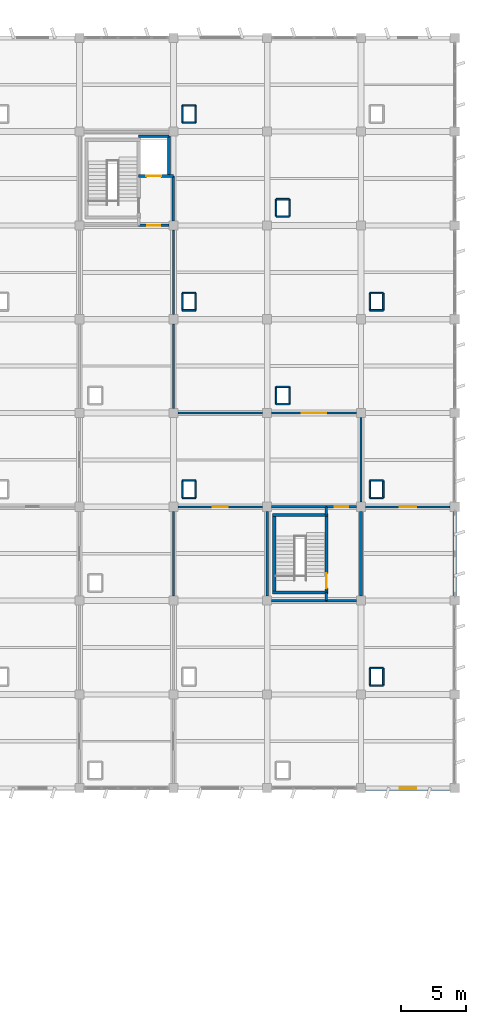
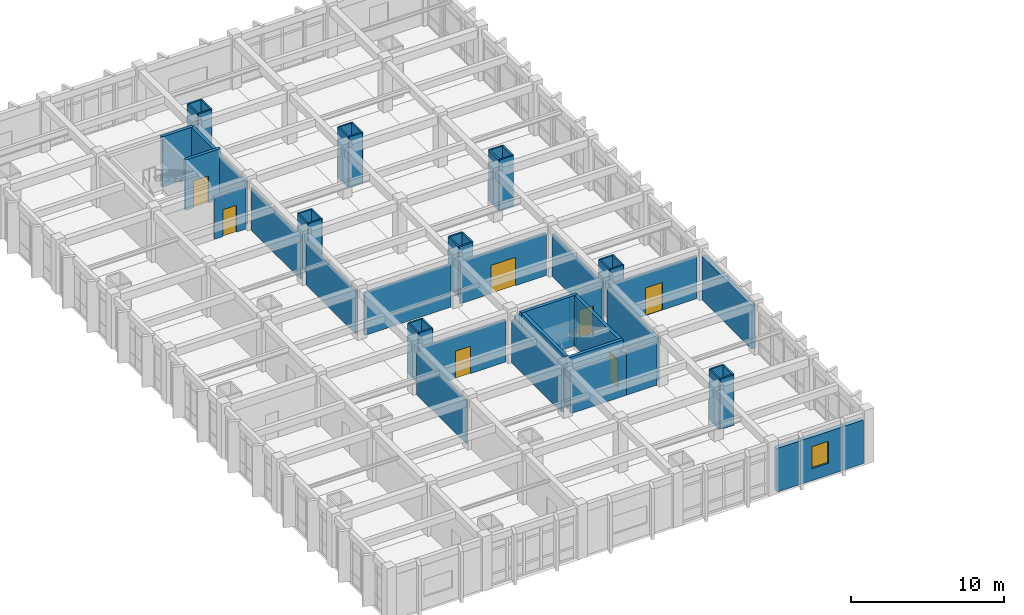
# One storey, part 61 of 70: 59 walls, 7 doors, 1 window, 8 openings.
"""IFC4 building model written with IfcOpenShell, lengths in metres."""

import ifcopenshell
import ifcopenshell.guid

model = None  # the IFC model being written
_history = None  # IfcOwnerHistory: only IFC2X3 demands one
_inside = {}  # id of a spatial element -> (the spatial element, [elements in it])
_under = {}  # id of a project, library or spatial element -> (it, [spatial elements below it])
_declared = {}  # id of a project -> (the project, [libraries it declares])
_typed = {}  # id of a type object -> (the type object, [elements of that type])
_made_of = {}  # id of a material, layer set ... -> (it, [elements and type objects made of it])


def new_model(schema):
    """Start an empty IFC model of exactly this schema.

    Asked for "IFC4X3", IfcOpenShell would pick the latest addendum, in which some entities
    have other attributes; the version numbers below select the first issue.
    IFC2X3 requires an IfcOwnerHistory on every rooted entity: one is made here for all.
    """
    global model, _history
    if schema == "IFC4X3":
        model = ifcopenshell.file(schema_version=(4, 3, 0, 0))
    else:
        model = ifcopenshell.file(schema=schema)
    _inside.clear()
    _under.clear()
    _declared.clear()
    _typed.clear()
    _made_of.clear()
    _history = None
    if model.schema == "IFC2X3":
        org = make("IfcOrganization", Name="unknown")
        user = make(
            "IfcPersonAndOrganization",
            ThePerson=make("IfcPerson", FamilyName="unknown"),
            TheOrganization=org,
        )
        app = make(
            "IfcApplication",
            ApplicationDeveloper=org,
            Version="unknown",
            ApplicationFullName="unknown",
            ApplicationIdentifier="unknown",
        )
        _history = make(
            "IfcOwnerHistory",
            OwningUser=user,
            OwningApplication=app,
            ChangeAction="ADDED",
            CreationDate=0,
        )
    return model


def make(cls, **values):
    """One entity of the class cls with the attributes given. An attribute that is None is left unset."""
    return model.create_entity(
        cls, **{name: value for name, value in values.items() if value is not None}
    )


def rooted(cls, **values):
    """An entity with a GlobalId (a new one), such as an element, a storey or a relation."""
    return make(cls, GlobalId=ifcopenshell.guid.new(), OwnerHistory=_history, **values)


def si_unit(unit_type, name, prefix=None):
    """IfcSIUnit, for example si_unit("LENGTHUNIT", "METRE", prefix="MILLI")."""
    return make("IfcSIUnit", UnitType=unit_type, Prefix=prefix, Name=name)


def assignment(units):
    """IfcUnitAssignment: the units of a project."""
    return None if units is None else make("IfcUnitAssignment", Units=units)


def point(xyz):
    """IfcCartesianPoint."""
    return None if xyz is None else make("IfcCartesianPoint", Coordinates=xyz)


def direction(xyz):
    """IfcDirection."""
    return None if xyz is None else make("IfcDirection", DirectionRatios=xyz)


def frame(location, z_axis=None, x_axis=None):
    """IfcAxis2Placement3D, a coordinate frame: its origin and axes. An axis left out is left unset."""
    return make(
        "IfcAxis2Placement3D",
        Location=point(location),
        Axis=direction(z_axis),
        RefDirection=direction(x_axis),
    )


def frame_2d(location, x_axis=None):
    """IfcAxis2Placement2D, a coordinate frame in the plane: its origin and x axis."""
    return make(
        "IfcAxis2Placement2D", Location=point(location), RefDirection=direction(x_axis)
    )


def origin():
    """The frame at (0, 0, 0) with its axes left unset."""
    return frame((0.0, 0.0, 0.0))


def place(relative_to, where):
    """IfcLocalPlacement: puts the frame where relative to a parent placement (None: the world)."""
    return make(
        "IfcLocalPlacement", PlacementRelTo=relative_to, RelativePlacement=where
    )


def context(
    kind, dimensions, precision=None, world=None, true_north=None, identifier=None
):
    """IfcGeometricRepresentationContext, for example the 3D "Model" context."""
    return make(
        "IfcGeometricRepresentationContext",
        ContextIdentifier=identifier,
        ContextType=kind,
        CoordinateSpaceDimension=dimensions,
        Precision=precision,
        WorldCoordinateSystem=world,
        TrueNorth=true_north,
    )


def subcontext(parent, identifier, kind, view, scale=None):
    """IfcGeometricRepresentationSubContext, for example "Body" below "Model"."""
    return make(
        "IfcGeometricRepresentationSubContext",
        ContextIdentifier=identifier,
        ContextType=kind,
        ParentContext=parent,
        TargetScale=scale,
        TargetView=view,
    )


def project(units=None, contexts=None):
    """IfcProject with its units and contexts."""
    return rooted(
        "IfcProject",
        Name="project",
        RepresentationContexts=contexts,
        UnitsInContext=assignment(units),
    )


def spatial(cls, under=None, at=None, **own):
    """A site, building, storey or space (cls), placed at a placement, below another one or the project."""
    s = rooted(cls, ObjectPlacement=at, **own)
    if under is not None:
        _under.setdefault(under.id(), (under, []))[1].append(s)
    return s


def profile(cls, at=None, kind="AREA", **sizes):
    """A parametric profile (cls). Its sizes go by their IFC names, for example OverallWidth=200.0."""
    return make(cls, ProfileType=kind, Position=at, **sizes)


def rectangle(**sizes):
    """IfcRectangleProfileDef."""
    return profile("IfcRectangleProfileDef", **sizes)


def extrude(swept, where, along, depth):
    """IfcExtrudedAreaSolid: the profile swept, set in the frame where, extruded along a direction by depth."""
    return make(
        "IfcExtrudedAreaSolid",
        SweptArea=swept,
        Position=where,
        ExtrudedDirection=direction(along),
        Depth=depth,
    )


def shape(context_of_items, identifier, shape_type, items):
    """IfcShapeRepresentation: the items that make up one representation, for example the "Body"."""
    return make(
        "IfcShapeRepresentation",
        ContextOfItems=context_of_items,
        RepresentationIdentifier=identifier,
        RepresentationType=shape_type,
        Items=items,
    )


def material(Name=None, Category=None):
    """IfcMaterial."""
    return make("IfcMaterial", Name=Name, Category=Category)


def layer(
    of_material, thickness, ventilated=None, Name=None, Category=None, Priority=None
):
    """IfcMaterialLayer: one layer of a wall or slab, of a material (None: an air gap)."""
    return make(
        "IfcMaterialLayer",
        Material=of_material,
        LayerThickness=thickness,
        IsVentilated=ventilated,
        Name=Name,
        Category=Category,
        Priority=Priority,
    )


def layer_set(layers, Name=None):
    """IfcMaterialLayerSet."""
    return make("IfcMaterialLayerSet", MaterialLayers=layers, LayerSetName=Name)


def made_of(thing, what):
    """Note that an element or type object is made of a material, layer set ...; save() writes the relation."""
    if what is not None:
        _made_of.setdefault(what.id(), (what, []))[1].append(thing)
    return thing


def type_object(cls, material=None, **own):
    """A type object (cls), such as IfcWallType, which elements share."""
    return made_of(rooted(cls, **own), material)


def element(
    cls,
    number,
    at=None,
    inside=None,
    cuts=None,
    type_object=None,
    material=None,
    context=None,
    identifier="Body",
    shape_type=None,
    held_by="IfcProductDefinitionShape",
    body=None,
    shapes=None,
    **own,
):
    """One element of the class cls, such as IfcWall. Its Tag is "e" and its number.

    at: its placement. inside: the storey or other place that contains it. cuts: it is an
    opening in that element (IfcRelVoidsElement). A single representation is given by context,
    identifier, shape_type and body (its items); several are given by shapes. held_by: the class
    of the entity that holds the representations. save() writes the other relations.
    """
    e = rooted(cls, Tag="e%d" % number, ObjectPlacement=at, **own)
    if body is not None:
        shapes = [shape(context, identifier, shape_type, body)]
    if shapes is not None:
        e.Representation = make(held_by, Representations=shapes)
    if inside is not None:
        _inside.setdefault(inside.id(), (inside, []))[1].append(e)
    if cuts is not None:
        rooted(
            "IfcRelVoidsElement", RelatingBuildingElement=cuts, RelatedOpeningElement=e
        )
    if type_object is not None:
        _typed.setdefault(type_object.id(), (type_object, []))[1].append(e)
    return made_of(e, material)


def fill(opening, filler):
    """IfcRelFillsElement: the door or window that sits in an opening."""
    return rooted(
        "IfcRelFillsElement",
        RelatingOpeningElement=opening,
        RelatedBuildingElement=filler,
    )


def aggregate(whole, parts):
    """IfcRelAggregates: a whole, such as a stair, and the parts it consists of."""
    return rooted("IfcRelAggregates", RelatingObject=whole, RelatedObjects=parts)


def save(model, path):
    """Write the relations noted so far, then the file.

    IfcRelAggregates (storeys below a building ...), IfcRelContainedInSpatialStructure (elements
    in a storey), IfcRelDefinesByType, IfcRelAssociatesMaterial and IfcRelDeclares: one each for
    every whole, place, type object, material and project.
    """
    for whole, parts in _under.values():
        aggregate(whole, parts)
    for where, things in _inside.values():
        rooted(
            "IfcRelContainedInSpatialStructure",
            RelatedElements=things,
            RelatingStructure=where,
        )
    for kind, things in _typed.values():
        rooted("IfcRelDefinesByType", RelatedObjects=things, RelatingType=kind)
    for what, things in _made_of.values():
        rooted("IfcRelAssociatesMaterial", RelatedObjects=things, RelatingMaterial=what)
    for by, libraries in _declared.values():
        rooted("IfcRelDeclares", RelatingContext=by, RelatedDefinitions=libraries)
    model.write(path)


model = new_model("IFC4")

# Units and contexts
model_context = context("Model", 3, precision=1e-05, world=origin(), true_north=direction((0.0, 1.0)))
body_context = subcontext(model_context, "Body", "Model", "MODEL_VIEW")
ifc_project = project(units=[si_unit("LENGTHUNIT", "METRE"), si_unit("AREAUNIT", "SQUARE_METRE"), si_unit("VOLUMEUNIT", "CUBIC_METRE"), si_unit("PLANEANGLEUNIT", "RADIAN"), si_unit("MASSUNIT", "GRAM", prefix="KILO")], contexts=[model_context])

# Site, building, storey
site_placement = place(None, origin())
site = spatial("IfcSite", under=ifc_project, at=site_placement, CompositionType="ELEMENT")
building_placement = place(site_placement, origin())
building = spatial("IfcBuilding", under=site, at=building_placement, Name="Kavelor Marine Aquarium", CompositionType="ELEMENT")
storey_placement = place(building_placement, frame((0.0, 0.0, 9.179931640625)))
storey = spatial("IfcBuildingStorey", under=building, at=storey_placement, Name="L02", CompositionType="ELEMENT", Elevation=9.179931640625)

# Wall
ifc_material_1 = material(Name="Concrete C40/50", Category="concrete")
ifc_layer_1 = layer(ifc_material_1, 0.300048828125)
ifc_layer_set_1 = layer_set([ifc_layer_1], Name="WL-EX3")
wall_type_1 = type_object("IfcWallType", Name="WL-EX3", PredefinedType="STANDARD", material=ifc_layer_set_1)
wall_1_placement = place(storey_placement, frame((154.39990234375, 74.455078125, 0.0), z_axis=(0.0, 0.0, 1.0), x_axis=(0.0, -1.0, 0.0)))
element("IfcWall", 1, at=wall_1_placement, inside=storey, type_object=wall_type_1, Name="ew:y:L02:21_09", PredefinedType="STANDARD", context=body_context, shape_type="SweptSolid", body=[
    extrude(rectangle(XDim=6.510009765625, YDim=0.300048828125, at=frame_2d((3.2548828125, 0.0))), origin(), (0.0, 0.0, 1.0), 3.47998046875),
])

# Wall, opening, window
ifc_material_2 = material(Name="Concrete C45/55", Category="concrete")
ifc_layer_2 = layer(ifc_material_2, 0.340087890625)
ifc_layer_set_2 = layer_set([ifc_layer_2], Name="WL-EX6")
wall_type_2 = type_object("IfcWallType", Name="WL-EX6", PredefinedType="STANDARD", material=ifc_layer_set_2)
wall_2_placement = place(storey_placement, frame((154.054931640625, 53.199951171875, 0.0), z_axis=(0.0, 0.0, 1.0), x_axis=(-1.0, 0.0, 0.0)))
wall_2 = element("IfcWall", 2, at=wall_2_placement, inside=storey, type_object=wall_type_2, Name="ew:x:L02:20_07", PredefinedType="STANDARD", context=body_context, shape_type="SweptSolid", body=[
    extrude(rectangle(XDim=6.510009765625, YDim=0.340087890625, at=frame_2d((3.2548828125, 0.0))), origin(), (0.0, 0.0, 1.0), 3.47998046875),
])
opening_1_placement = place(wall_2_placement, frame((2.6298828125, 0.0, 0.949951171875)))
opening_1 = element("IfcOpeningElement", 3, at=opening_1_placement, cuts=wall_2, Name="Opening W37", PredefinedType="OPENING", context=body_context, shape_type="SweptSolid", body=[
    extrude(rectangle(XDim=1.25, YDim=1.75, at=frame_2d((0.625, 0.875))), frame((0.0, 0.179931640625, 0.0), z_axis=(0.0, -1.0, 0.0), x_axis=(1.0, 0.0, 0.0)), (0.0, 0.0, 1.0), 0.360088),
])
ifc_material_3 = material(Name="Anodised Aluminium Frame with Low-E Double Glazing", Category="aluminium")
window_type = type_object("IfcWindowType", Name="WIN-W37", PartitioningType="SINGLE_PANEL", PredefinedType="WINDOW", material=ifc_material_3)
window_placement = place(opening_1_placement, origin())
window = element("IfcWindow", 4, at=window_placement, inside=storey, type_object=window_type, Name="win:x:L02:20_07", OverallHeight=1.75, OverallWidth=1.25, PartitioningType="SINGLE_PANEL", PredefinedType="WINDOW", context=body_context, shape_type="SweptSolid", body=[
    extrude(rectangle(XDim=1.25, YDim=1.75, at=frame_2d((0.625, 0.875))), frame((0.0, 0.030029296875, 0.0), z_axis=(0.0, -1.0, 0.0), x_axis=(1.0, 0.0, 0.0)), (0.0, 0.0, 1.0), 0.06005859375),
])
fill(opening_1, window)

# Wall
ifc_material_4 = material(Name="Concrete Blockwork Partition", Category="masonry")
ifc_layer_3 = layer(ifc_material_4, 0.199951171875)
ifc_layer_set_3 = layer_set([ifc_layer_3], Name="WL-PT1")
wall_type_3 = type_object("IfcWallType", Name="WL-PT1", PredefinedType="PARTITIONING", material=ifc_layer_set_3)
wall_3_placement = place(storey_placement, frame((132.800048828125, 96.75, 0.0), z_axis=(0.0, 0.0, 1.0), x_axis=(0.0, 1.0, 0.0)))
element("IfcWall", 5, at=wall_3_placement, inside=storey, type_object=wall_type_3, Name="pt:lob:C10:L02:e", PredefinedType="PARTITIONING", context=body_context, shape_type="SweptSolid", body=[
    extrude(rectangle(XDim=3.449951171875, YDim=0.199951171875, at=frame_2d((1.72509765625, 0.0))), origin(), (0.0, 0.0, 1.0), 3.41015625),
])

# Wall, opening, door
wall_4_placement = place(storey_placement, frame((130.139892578125, 96.39990234375, 0.0), z_axis=(0.0, 0.0, 1.0), x_axis=(1.0, 0.0, 0.0)))
wall_4 = element("IfcWall", 6, at=wall_4_placement, inside=storey, type_object=wall_type_3, Name="pt:lob:C10:L02:s", PredefinedType="PARTITIONING", context=body_context, shape_type="SweptSolid", body=[
    extrude(rectangle(XDim=2.31005859375, YDim=0.199951171875, at=frame_2d((1.155029296875, 0.0))), origin(), (0.0, 0.0, 1.0), 3.360107421875),
])
opening_2_placement = place(wall_4_placement, frame((0.64501953125, 0.0, 0.0)))
opening_2 = element("IfcOpeningElement", 7, at=opening_2_placement, cuts=wall_4, Name="Opening SD1", PredefinedType="OPENING", context=body_context, shape_type="SweptSolid", body=[
    extrude(rectangle(XDim=1.02001953125, YDim=2.14990234375, at=frame_2d((0.510009765625, 1.074951171875))), frame((0.0, 0.10986328125, 0.0), z_axis=(0.0, -1.0, 0.0), x_axis=(1.0, 0.0, 0.0)), (0.0, 0.0, 1.0), 0.219951),
])
ifc_material_5 = material(Name="Fire-Rated Corridor Compartment Door")
door_type_1 = type_object("IfcDoorType", Name="DR-SD1", OperationType="NOTDEFINED", PredefinedType="DOOR", material=ifc_material_5)
door_1_placement = place(opening_2_placement, origin())
door_1 = element("IfcDoor", 8, at=door_1_placement, inside=storey, type_object=door_type_1, Name="Core Lobby Fire Door C10-L02", OperationType="SINGLE_SWING_RIGHT", OverallHeight=2.14990234375, OverallWidth=1.02001953125, PredefinedType="DOOR", context=body_context, shape_type="SweptSolid", body=[
    extrude(rectangle(XDim=1.02001953125, YDim=2.14990234375, at=frame_2d((0.510009765625, 1.074951171875))), frame((0.0, 0.02490234375, 0.0), z_axis=(0.0, -1.0, 0.0), x_axis=(1.0, 0.0, 0.0)), (0.0, 0.0, 1.0), 0.050048828125),
])
fill(opening_2, door_1)

# Walls
wall_5_placement = place(storey_placement, frame((144.5400390625, 67.60009765625, 0.0), z_axis=(0.0, 0.0, 1.0), x_axis=(0.0, 1.0, 0.0)))
element("IfcWall", 9, at=wall_5_placement, inside=storey, type_object=wall_type_3, Name="pt:st_close:s:C11:L02", PredefinedType="PARTITIONING", context=body_context, shape_type="SweptSolid", body=[
    extrude(rectangle(XDim=0.619873046875, YDim=0.199951171875, at=frame_2d((0.31005859375, 0.0))), origin(), (0.0, 0.0, 1.0), 3.360107421875),
])
wall_6_placement = place(storey_placement, frame((144.5400390625, 74.179931640625, 0.0), z_axis=(0.0, 0.0, 1.0), x_axis=(0.0, 1.0, 0.0)))
element("IfcWall", 10, at=wall_6_placement, inside=storey, type_object=wall_type_3, Name="pt:st_close:n:C11:L02", PredefinedType="PARTITIONING", context=body_context, shape_type="SweptSolid", body=[
    extrude(rectangle(XDim=0.6201171875, YDim=0.199951171875, at=frame_2d((0.31005859375, 0.0))), origin(), (0.0, 0.0, 1.0), 3.41015625),
])
for number, where, z_axis, x_axis, name in (
    (11, (140.0, 67.949951171875, 0.0), (0.0, 0.0, 1.0), (0.0, 1.0, 0.0), "pt:lob:C11:L02:w"),
    (12, (147.199951171875, 67.949951171875, 0.0), (0.0, 0.0, 1.0), (0.0, 1.0, 0.0), "pt:lob:C11:L02:e"),
):
    element("IfcWall", number, at=place(storey_placement, frame(where, z_axis=z_axis, x_axis=x_axis)), inside=storey, type_object=wall_type_3, Name=name, PredefinedType="PARTITIONING", context=body_context, shape_type="SweptSolid", body=[
        extrude(rectangle(XDim=6.5, YDim=0.199951171875, at=frame_2d((3.25, 0.0))), origin(), (0.0, 0.0, 1.0), 3.41015625),
    ])
wall_7_placement = place(storey_placement, frame((140.35009765625, 67.60009765625, 0.0), z_axis=(0.0, 0.0, 1.0), x_axis=(1.0, 0.0, 0.0)))
element("IfcWall", 13, at=wall_7_placement, inside=storey, type_object=wall_type_3, Name="pt:lob:C11:L02:s_st", PredefinedType="PARTITIONING", context=body_context, shape_type="SweptSolid", body=[
    extrude(rectangle(XDim=4.18994140625, YDim=0.199951171875, at=frame_2d((2.094970703125, 0.0))), origin(), (0.0, 0.0, 1.0), 3.360107421875),
])
wall_8_placement = place(storey_placement, frame((144.5400390625, 67.60009765625, 0.0), z_axis=(0.0, 0.0, 1.0), x_axis=(1.0, 0.0, 0.0)))
element("IfcWall", 14, at=wall_8_placement, inside=storey, type_object=wall_type_3, Name="pt:lob:C11:L02:s", PredefinedType="PARTITIONING", context=body_context, shape_type="SweptSolid", body=[
    extrude(rectangle(XDim=2.31005859375, YDim=0.199951171875, at=frame_2d((1.155029296875, 0.0))), origin(), (0.0, 0.0, 1.0), 3.360107421875),
])
wall_9_placement = place(storey_placement, frame((140.35009765625, 74.800048828125, 0.0), z_axis=(0.0, 0.0, 1.0), x_axis=(1.0, 0.0, 0.0)))
element("IfcWall", 15, at=wall_9_placement, inside=storey, type_object=wall_type_3, Name="pt:lob:C11:L02:n_st", PredefinedType="PARTITIONING", context=body_context, shape_type="SweptSolid", body=[
    extrude(rectangle(XDim=4.18994140625, YDim=0.199951171875, at=frame_2d((2.094970703125, 0.0))), origin(), (0.0, 0.0, 1.0), 3.41015625),
])

# Wall, opening, door
wall_10_placement = place(storey_placement, frame((144.5400390625, 74.800048828125, 0.0), z_axis=(0.0, 0.0, 1.0), x_axis=(1.0, 0.0, 0.0)))
wall_10 = element("IfcWall", 16, at=wall_10_placement, inside=storey, type_object=wall_type_3, Name="pt:lob:C11:L02:n", PredefinedType="PARTITIONING", context=body_context, shape_type="SweptSolid", body=[
    extrude(rectangle(XDim=2.31005859375, YDim=0.199951171875, at=frame_2d((1.155029296875, 0.0))), origin(), (0.0, 0.0, 1.0), 3.41015625),
])
opening_3_placement = place(wall_10_placement, frame((0.64501953125, 0.0, 0.0)))
opening_3 = element("IfcOpeningElement", 17, at=opening_3_placement, cuts=wall_10, Name="Opening SD1", PredefinedType="OPENING", context=body_context, shape_type="SweptSolid", body=[
    extrude(rectangle(XDim=1.02001953125, YDim=2.14990234375, at=frame_2d((0.510009765625, 1.074951171875))), frame((0.0, 0.10986328125, 0.0), z_axis=(0.0, -1.0, 0.0), x_axis=(1.0, 0.0, 0.0)), (0.0, 0.0, 1.0), 0.219951),
])
door_2_placement = place(opening_3_placement, origin())
door_2 = element("IfcDoor", 18, at=door_2_placement, inside=storey, type_object=door_type_1, Name="Core Lobby Fire Door C11-L02", OperationType="SINGLE_SWING_RIGHT", OverallHeight=2.14990234375, OverallWidth=1.02001953125, PredefinedType="DOOR", context=body_context, shape_type="SweptSolid", body=[
    extrude(rectangle(XDim=1.02001953125, YDim=2.14990234375, at=frame_2d((0.510009765625, 1.074951171875))), frame((0.0, 0.02490234375, 0.0), z_axis=(0.0, -1.0, 0.0), x_axis=(1.0, 0.0, 0.0)), (0.0, 0.0, 1.0), 0.050048828125),
])
fill(opening_3, door_2)

# Walls
ifc_material_6 = material(Name="Acoustic Gypsum Stud Partition")
ifc_layer_4 = layer(ifc_material_6, 0.159912109375)
ifc_layer_set_4 = layer_set([ifc_layer_4], Name="WL-PT2")
wall_type_4 = type_object("IfcWallType", Name="WL-PT2", PredefinedType="PARTITIONING", material=ifc_layer_set_4)
for number, where, z_axis, x_axis, name in (
    (19, (132.800048828125, 67.949951171875, 0.0), (0.0, 0.0, 1.0), (0.0, 1.0, 0.0), "pt:y:L02:17_09"),
    (20, (132.800048828125, 82.35009765625, 0.0), (0.0, 0.0, 1.0), (0.0, 1.0, 0.0), "pt:y:L02:17_11"),
):
    element("IfcWall", number, at=place(storey_placement, frame(where, z_axis=z_axis, x_axis=x_axis)), inside=storey, type_object=wall_type_4, Name=name, PredefinedType="PARTITIONING", context=body_context, shape_type="SweptSolid", body=[
        extrude(rectangle(XDim=6.5, YDim=0.159912109375, at=frame_2d((3.25, 0.0))), origin(), (0.0, 0.0, 1.0), 3.41015625),
    ])
wall_11_placement = place(storey_placement, frame((132.800048828125, 89.550048828125, 0.0), z_axis=(0.0, 0.0, 1.0), x_axis=(0.0, 1.0, 0.0)))
element("IfcWall", 21, at=wall_11_placement, inside=storey, type_object=wall_type_4, Name="pt:y:L02:17_12", PredefinedType="PARTITIONING", context=body_context, shape_type="SweptSolid", body=[
    extrude(rectangle(XDim=6.5, YDim=0.159912109375, at=frame_2d((3.25, 0.0))), origin(), (0.0, 0.0, 1.0), 3.360107421875),
])

# Wall, opening, door
wall_12_placement = place(storey_placement, frame((133.14990234375, 74.800048828125, 0.0), z_axis=(0.0, 0.0, 1.0), x_axis=(1.0, 0.0, 0.0)))
wall_12 = element("IfcWall", 22, at=wall_12_placement, inside=storey, type_object=wall_type_4, Name="pt:x:L02:18_09", PredefinedType="PARTITIONING", context=body_context, shape_type="SweptSolid", body=[
    extrude(rectangle(XDim=6.5, YDim=0.159912109375, at=frame_2d((3.25, 0.0))), origin(), (0.0, 0.0, 1.0), 3.360107421875),
])
opening_4_placement = place(wall_12_placement, frame((2.669921875, 0.0, 0.0)))
opening_4 = element("IfcOpeningElement", 23, at=opening_4_placement, cuts=wall_12, Name="Opening D09", PredefinedType="OPENING", context=body_context, shape_type="SweptSolid", body=[
    extrude(rectangle(XDim=1.159912109375, YDim=2.179931640625, at=frame_2d((0.580078125, 1.08984375))), frame((0.0, 0.08984375, 0.0), z_axis=(0.0, -1.0, 0.0), x_axis=(1.0, 0.0, 0.0)), (0.0, 0.0, 1.0), 0.179912),
])
ifc_material_7 = material(Name="Husbandry Prep Marine Door")
door_type_2 = type_object("IfcDoorType", Name="DR-D09", OperationType="NOTDEFINED", PredefinedType="DOOR", material=ifc_material_7)
door_3_placement = place(opening_4_placement, origin())
door_3 = element("IfcDoor", 24, at=door_3_placement, inside=storey, type_object=door_type_2, Name="dr:rm:pt:x:L02:18_09:1", OperationType="SINGLE_SWING_RIGHT", OverallHeight=2.179931640625, OverallWidth=1.159912109375, PredefinedType="DOOR", context=body_context, shape_type="SweptSolid", body=[
    extrude(rectangle(XDim=1.159912109375, YDim=2.179931640625, at=frame_2d((0.580078125, 1.08984375))), frame((0.0, 0.02490234375, 0.0), z_axis=(0.0, -1.0, 0.0), x_axis=(1.0, 0.0, 0.0)), (0.0, 0.0, 1.0), 0.050048828125),
])
fill(opening_4, door_3)

# Walls
wall_13_placement = place(storey_placement, frame((133.14990234375, 82.0, 0.0), z_axis=(0.0, 0.0, 1.0), x_axis=(1.0, 0.0, 0.0)))
element("IfcWall", 25, at=wall_13_placement, inside=storey, type_object=wall_type_4, Name="pt:x:L02:18_10", PredefinedType="PARTITIONING", context=body_context, shape_type="SweptSolid", body=[
    extrude(rectangle(XDim=6.5, YDim=0.159912109375, at=frame_2d((3.25, 0.0))), origin(), (0.0, 0.0, 1.0), 3.41015625),
])
wall_14_placement = place(storey_placement, frame((147.199951171875, 75.14990234375, 0.0), z_axis=(0.0, 0.0, 1.0), x_axis=(0.0, 1.0, 0.0)))
element("IfcWall", 26, at=wall_14_placement, inside=storey, type_object=wall_type_4, Name="pt:y:L02:19_10", PredefinedType="PARTITIONING", context=body_context, shape_type="SweptSolid", body=[
    extrude(rectangle(XDim=6.5, YDim=0.159912109375, at=frame_2d((3.25, 0.0))), origin(), (0.0, 0.0, 1.0), 3.380126953125),
])

# Wall, opening, door
wall_15_placement = place(storey_placement, frame((140.35009765625, 82.0, 0.0), z_axis=(0.0, 0.0, 1.0), x_axis=(1.0, 0.0, 0.0)))
wall_15 = element("IfcWall", 27, at=wall_15_placement, inside=storey, type_object=wall_type_4, Name="pt:x:L02:19_10", PredefinedType="PARTITIONING", context=body_context, shape_type="SweptSolid", body=[
    extrude(rectangle(XDim=6.5, YDim=0.159912109375, at=frame_2d((3.25, 0.0))), origin(), (0.0, 0.0, 1.0), 3.360107421875),
])
opening_5_placement = place(wall_15_placement, frame((2.320068359375, 0.0, 0.0)))
opening_5 = element("IfcOpeningElement", 28, at=opening_5_placement, cuts=wall_15, Name="Opening D13", PredefinedType="OPENING", context=body_context, shape_type="SweptSolid", body=[
    extrude(rectangle(XDim=1.860107421875, YDim=2.260009765625, at=frame_2d((0.93017578125, 1.1298828125))), frame((0.0, 0.08984375, 0.0), z_axis=(0.0, -1.0, 0.0), x_axis=(1.0, 0.0, 0.0)), (0.0, 0.0, 1.0), 0.179912),
])
ifc_material_8 = material(Name="Main Foyer Exhibition Double Door")
door_type_3 = type_object("IfcDoorType", Name="DR-D13", OperationType="NOTDEFINED", PredefinedType="DOOR", material=ifc_material_8)
door_4_placement = place(opening_5_placement, origin())
door_4 = element("IfcDoor", 29, at=door_4_placement, inside=storey, type_object=door_type_3, Name="dr:rm:pt:x:L02:19_10:1", OperationType="DOUBLE_DOOR_SINGLE_SWING", OverallHeight=2.260009765625, OverallWidth=1.860107421875, PredefinedType="DOOR", context=body_context, shape_type="SweptSolid", body=[
    extrude(rectangle(XDim=1.860107421875, YDim=2.260009765625, at=frame_2d((0.93017578125, 1.1298828125))), frame((0.0, 0.02490234375, 0.0), z_axis=(0.0, -1.0, 0.0), x_axis=(1.0, 0.0, 0.0)), (0.0, 0.0, 1.0), 0.050048828125),
])
fill(opening_5, door_4)

wall_16_placement = place(storey_placement, frame((147.550048828125, 74.800048828125, 0.0), z_axis=(0.0, 0.0, 1.0), x_axis=(1.0, 0.0, 0.0)))
wall_16 = element("IfcWall", 30, at=wall_16_placement, inside=storey, type_object=wall_type_4, Name="pt:x:L02:20_09", PredefinedType="PARTITIONING", context=body_context, shape_type="SweptSolid", body=[
    extrude(rectangle(XDim=6.5, YDim=0.159912109375, at=frame_2d((3.25, 0.0))), origin(), (0.0, 0.0, 1.0), 3.380126953125),
])
opening_6_placement = place(wall_16_placement, frame((2.610107421875, 0.0, 0.0)))
opening_6 = element("IfcOpeningElement", 31, at=opening_6_placement, cuts=wall_16, Name="Opening D10", PredefinedType="OPENING", context=body_context, shape_type="SweptSolid", body=[
    extrude(rectangle(XDim=1.280029296875, YDim=2.199951171875, at=frame_2d((0.64013671875, 1.10009765625))), frame((0.0, 0.08984375, 0.0), z_axis=(0.0, -1.0, 0.0), x_axis=(1.0, 0.0, 0.0)), (0.0, 0.0, 1.0), 0.179912),
])
ifc_material_9 = material(Name="Equipment Store Wide Leaf Door")
door_type_4 = type_object("IfcDoorType", Name="DR-D10", OperationType="NOTDEFINED", PredefinedType="DOOR", material=ifc_material_9)
door_5_placement = place(opening_6_placement, origin())
door_5 = element("IfcDoor", 32, at=door_5_placement, inside=storey, type_object=door_type_4, Name="dr:rm:pt:x:L02:20_09:0", OperationType="SINGLE_SWING_RIGHT", OverallHeight=2.199951171875, OverallWidth=1.280029296875, PredefinedType="DOOR", context=body_context, shape_type="SweptSolid", body=[
    extrude(rectangle(XDim=1.280029296875, YDim=2.199951171875, at=frame_2d((0.64013671875, 1.10009765625))), frame((0.0, 0.02490234375, 0.0), z_axis=(0.0, -1.0, 0.0), x_axis=(1.0, 0.0, 0.0)), (0.0, 0.0, 1.0), 0.050048828125),
])
fill(opening_6, door_5)

# Walls
ifc_material_10 = material(Name="Lightweight Drywall Partition")
ifc_layer_5 = layer(ifc_material_10, 0.1201171875)
ifc_layer_set_5 = layer_set([ifc_layer_5], Name="WL-PT4")
wall_type_5 = type_object("IfcWallType", Name="WL-PT4", PredefinedType="PARTITIONING", material=ifc_layer_set_5)
for number, where, z_axis, x_axis, name in (
    (33, (133.489990234375, 75.489990234375, 0.0), (0.0, 0.0, 1.0), (1.0, 0.0, 0.0), "riser:s:L02:18_10"),
    (34, (133.489990234375, 76.81005859375, 0.0), (0.0, 0.0, 1.0), (1.0, 0.0, 0.0), "riser:n:L02:18_10"),
):
    element("IfcWall", number, at=place(storey_placement, frame(where, z_axis=z_axis, x_axis=x_axis)), inside=storey, type_object=wall_type_5, Name=name, PredefinedType="PARTITIONING", context=body_context, shape_type="SweptSolid", body=[
        extrude(rectangle(XDim=1.02001953125, YDim=0.1201171875, at=frame_2d((0.510009765625, 0.0))), origin(), (0.0, 0.0, 1.0), 4.0),
    ])
for number, where, z_axis, x_axis, name in (
    (35, (133.489990234375, 75.489990234375, 0.0), (0.0, 0.0, 1.0), (0.0, 1.0, 0.0), "riser:w:L02:18_10"),
    (36, (134.510009765625, 75.489990234375, 0.0), (0.0, 0.0, 1.0), (0.0, 1.0, 0.0), "riser:e:L02:18_10"),
):
    element("IfcWall", number, at=place(storey_placement, frame(where, z_axis=z_axis, x_axis=x_axis)), inside=storey, type_object=wall_type_5, Name=name, PredefinedType="PARTITIONING", context=body_context, shape_type="SweptSolid", body=[
        extrude(rectangle(XDim=1.320068359375, YDim=0.1201171875, at=frame_2d((0.66015625, 0.0))), origin(), (0.0, 0.0, 1.0), 4.0),
    ])
for number, where, z_axis, x_axis, name in (
    (37, (133.489990234375, 89.889892578125, 0.0), (0.0, 0.0, 1.0), (1.0, 0.0, 0.0), "riser:s:L02:18_12"),
    (38, (133.489990234375, 91.2099609375, 0.0), (0.0, 0.0, 1.0), (1.0, 0.0, 0.0), "riser:n:L02:18_12"),
):
    element("IfcWall", number, at=place(storey_placement, frame(where, z_axis=z_axis, x_axis=x_axis)), inside=storey, type_object=wall_type_5, Name=name, PredefinedType="PARTITIONING", context=body_context, shape_type="SweptSolid", body=[
        extrude(rectangle(XDim=1.02001953125, YDim=0.1201171875, at=frame_2d((0.510009765625, 0.0))), origin(), (0.0, 0.0, 1.0), 4.0),
    ])
for number, where, z_axis, x_axis, name in (
    (39, (133.489990234375, 89.889892578125, 0.0), (0.0, 0.0, 1.0), (0.0, 1.0, 0.0), "riser:w:L02:18_12"),
    (40, (134.510009765625, 89.889892578125, 0.0), (0.0, 0.0, 1.0), (0.0, 1.0, 0.0), "riser:e:L02:18_12"),
):
    element("IfcWall", number, at=place(storey_placement, frame(where, z_axis=z_axis, x_axis=x_axis)), inside=storey, type_object=wall_type_5, Name=name, PredefinedType="PARTITIONING", context=body_context, shape_type="SweptSolid", body=[
        extrude(rectangle(XDim=1.320068359375, YDim=0.1201171875, at=frame_2d((0.66015625, 0.0))), origin(), (0.0, 0.0, 1.0), 4.0),
    ])
for number, where, z_axis, x_axis, name in (
    (41, (133.489990234375, 104.2900390625, 0.0), (0.0, 0.0, 1.0), (1.0, 0.0, 0.0), "riser:s:L02:18_14"),
    (42, (133.489990234375, 105.610107421875, 0.0), (0.0, 0.0, 1.0), (1.0, 0.0, 0.0), "riser:n:L02:18_14"),
):
    element("IfcWall", number, at=place(storey_placement, frame(where, z_axis=z_axis, x_axis=x_axis)), inside=storey, type_object=wall_type_5, Name=name, PredefinedType="PARTITIONING", context=body_context, shape_type="SweptSolid", body=[
        extrude(rectangle(XDim=1.02001953125, YDim=0.1201171875, at=frame_2d((0.510009765625, 0.0))), origin(), (0.0, 0.0, 1.0), 4.0),
    ])
for number, where, z_axis, x_axis, name in (
    (43, (133.489990234375, 104.2900390625, 0.0), (0.0, 0.0, 1.0), (0.0, 1.0, 0.0), "riser:w:L02:18_14"),
    (44, (134.510009765625, 104.2900390625, 0.0), (0.0, 0.0, 1.0), (0.0, 1.0, 0.0), "riser:e:L02:18_14"),
):
    element("IfcWall", number, at=place(storey_placement, frame(where, z_axis=z_axis, x_axis=x_axis)), inside=storey, type_object=wall_type_5, Name=name, PredefinedType="PARTITIONING", context=body_context, shape_type="SweptSolid", body=[
        extrude(rectangle(XDim=1.320068359375, YDim=0.1201171875, at=frame_2d((0.66015625, 0.0))), origin(), (0.0, 0.0, 1.0), 4.0),
    ])
for number, where, z_axis, x_axis, name in (
    (45, (140.68994140625, 82.68994140625, 0.0), (0.0, 0.0, 1.0), (1.0, 0.0, 0.0), "riser:s:L02:19_11"),
    (46, (140.68994140625, 84.010009765625, 0.0), (0.0, 0.0, 1.0), (1.0, 0.0, 0.0), "riser:n:L02:19_11"),
):
    element("IfcWall", number, at=place(storey_placement, frame(where, z_axis=z_axis, x_axis=x_axis)), inside=storey, type_object=wall_type_5, Name=name, PredefinedType="PARTITIONING", context=body_context, shape_type="SweptSolid", body=[
        extrude(rectangle(XDim=1.02001953125, YDim=0.1201171875, at=frame_2d((0.510009765625, 0.0))), origin(), (0.0, 0.0, 1.0), 4.0),
    ])
for number, where, z_axis, x_axis, name in (
    (47, (140.68994140625, 82.68994140625, 0.0), (0.0, 0.0, 1.0), (0.0, 1.0, 0.0), "riser:w:L02:19_11"),
    (48, (141.7099609375, 82.68994140625, 0.0), (0.0, 0.0, 1.0), (0.0, 1.0, 0.0), "riser:e:L02:19_11"),
):
    element("IfcWall", number, at=place(storey_placement, frame(where, z_axis=z_axis, x_axis=x_axis)), inside=storey, type_object=wall_type_5, Name=name, PredefinedType="PARTITIONING", context=body_context, shape_type="SweptSolid", body=[
        extrude(rectangle(XDim=1.320068359375, YDim=0.1201171875, at=frame_2d((0.66015625, 0.0))), origin(), (0.0, 0.0, 1.0), 4.0),
    ])
for number, where, z_axis, x_axis, name in (
    (49, (140.68994140625, 97.090087890625, 0.0), (0.0, 0.0, 1.0), (1.0, 0.0, 0.0), "riser:s:L02:19_13"),
    (50, (140.68994140625, 98.409912109375, 0.0), (0.0, 0.0, 1.0), (1.0, 0.0, 0.0), "riser:n:L02:19_13"),
):
    element("IfcWall", number, at=place(storey_placement, frame(where, z_axis=z_axis, x_axis=x_axis)), inside=storey, type_object=wall_type_5, Name=name, PredefinedType="PARTITIONING", context=body_context, shape_type="SweptSolid", body=[
        extrude(rectangle(XDim=1.02001953125, YDim=0.1201171875, at=frame_2d((0.510009765625, 0.0))), origin(), (0.0, 0.0, 1.0), 4.0),
    ])
for number, where, z_axis, x_axis, name in (
    (51, (140.68994140625, 97.090087890625, 0.0), (0.0, 0.0, 1.0), (0.0, 1.0, 0.0), "riser:w:L02:19_13"),
    (52, (141.7099609375, 97.090087890625, 0.0), (0.0, 0.0, 1.0), (0.0, 1.0, 0.0), "riser:e:L02:19_13"),
):
    element("IfcWall", number, at=place(storey_placement, frame(where, z_axis=z_axis, x_axis=x_axis)), inside=storey, type_object=wall_type_5, Name=name, PredefinedType="PARTITIONING", context=body_context, shape_type="SweptSolid", body=[
        extrude(rectangle(XDim=1.31982421875, YDim=0.1201171875, at=frame_2d((0.659912109375, 0.0))), origin(), (0.0, 0.0, 1.0), 4.0),
    ])
for number, where, z_axis, x_axis, name in (
    (53, (147.889892578125, 61.090087890625, 0.0), (0.0, 0.0, 1.0), (1.0, 0.0, 0.0), "riser:s:L02:20_08"),
    (54, (147.889892578125, 62.409912109375, 0.0), (0.0, 0.0, 1.0), (1.0, 0.0, 0.0), "riser:n:L02:20_08"),
):
    element("IfcWall", number, at=place(storey_placement, frame(where, z_axis=z_axis, x_axis=x_axis)), inside=storey, type_object=wall_type_5, Name=name, PredefinedType="PARTITIONING", context=body_context, shape_type="SweptSolid", body=[
        extrude(rectangle(XDim=1.02001953125, YDim=0.1201171875, at=frame_2d((0.510009765625, 0.0))), origin(), (0.0, 0.0, 1.0), 4.02001953125),
    ])
for number, where, z_axis, x_axis, name in (
    (55, (147.889892578125, 61.090087890625, 0.0), (0.0, 0.0, 1.0), (0.0, 1.0, 0.0), "riser:w:L02:20_08"),
    (56, (148.909912109375, 61.090087890625, 0.0), (0.0, 0.0, 1.0), (0.0, 1.0, 0.0), "riser:e:L02:20_08"),
):
    element("IfcWall", number, at=place(storey_placement, frame(where, z_axis=z_axis, x_axis=x_axis)), inside=storey, type_object=wall_type_5, Name=name, PredefinedType="PARTITIONING", context=body_context, shape_type="SweptSolid", body=[
        extrude(rectangle(XDim=1.31982421875, YDim=0.1201171875, at=frame_2d((0.659912109375, 0.0))), origin(), (0.0, 0.0, 1.0), 4.02001953125),
    ])
for number, where, z_axis, x_axis, name in (
    (57, (147.889892578125, 75.489990234375, 0.0), (0.0, 0.0, 1.0), (1.0, 0.0, 0.0), "riser:s:L02:20_10"),
    (58, (147.889892578125, 76.81005859375, 0.0), (0.0, 0.0, 1.0), (1.0, 0.0, 0.0), "riser:n:L02:20_10"),
):
    element("IfcWall", number, at=place(storey_placement, frame(where, z_axis=z_axis, x_axis=x_axis)), inside=storey, type_object=wall_type_5, Name=name, PredefinedType="PARTITIONING", context=body_context, shape_type="SweptSolid", body=[
        extrude(rectangle(XDim=1.02001953125, YDim=0.1201171875, at=frame_2d((0.510009765625, 0.0))), origin(), (0.0, 0.0, 1.0), 4.02001953125),
    ])
for number, where, z_axis, x_axis, name in (
    (59, (147.889892578125, 75.489990234375, 0.0), (0.0, 0.0, 1.0), (0.0, 1.0, 0.0), "riser:w:L02:20_10"),
    (60, (148.909912109375, 75.489990234375, 0.0), (0.0, 0.0, 1.0), (0.0, 1.0, 0.0), "riser:e:L02:20_10"),
):
    element("IfcWall", number, at=place(storey_placement, frame(where, z_axis=z_axis, x_axis=x_axis)), inside=storey, type_object=wall_type_5, Name=name, PredefinedType="PARTITIONING", context=body_context, shape_type="SweptSolid", body=[
        extrude(rectangle(XDim=1.320068359375, YDim=0.1201171875, at=frame_2d((0.66015625, 0.0))), origin(), (0.0, 0.0, 1.0), 4.02001953125),
    ])
for number, where, z_axis, x_axis, name in (
    (61, (147.889892578125, 89.889892578125, 0.0), (0.0, 0.0, 1.0), (1.0, 0.0, 0.0), "riser:s:L02:20_12"),
    (62, (147.889892578125, 91.2099609375, 0.0), (0.0, 0.0, 1.0), (1.0, 0.0, 0.0), "riser:n:L02:20_12"),
):
    element("IfcWall", number, at=place(storey_placement, frame(where, z_axis=z_axis, x_axis=x_axis)), inside=storey, type_object=wall_type_5, Name=name, PredefinedType="PARTITIONING", context=body_context, shape_type="SweptSolid", body=[
        extrude(rectangle(XDim=1.02001953125, YDim=0.1201171875, at=frame_2d((0.510009765625, 0.0))), origin(), (0.0, 0.0, 1.0), 4.02001953125),
    ])
for number, where, z_axis, x_axis, name in (
    (63, (147.889892578125, 89.889892578125, 0.0), (0.0, 0.0, 1.0), (0.0, 1.0, 0.0), "riser:w:L02:20_12"),
    (64, (148.909912109375, 89.889892578125, 0.0), (0.0, 0.0, 1.0), (0.0, 1.0, 0.0), "riser:e:L02:20_12"),
):
    element("IfcWall", number, at=place(storey_placement, frame(where, z_axis=z_axis, x_axis=x_axis)), inside=storey, type_object=wall_type_5, Name=name, PredefinedType="PARTITIONING", context=body_context, shape_type="SweptSolid", body=[
        extrude(rectangle(XDim=1.320068359375, YDim=0.1201171875, at=frame_2d((0.66015625, 0.0))), origin(), (0.0, 0.0, 1.0), 4.02001953125),
    ])

# Wall, opening, door
ifc_material_11 = material(Name="Concrete C40/50", Category="concrete")
ifc_layer_6 = layer(ifc_material_11, 0.35009765625)
ifc_layer_set_6 = layer_set([ifc_layer_6], Name="WL-SW2")
wall_type_6 = type_object("IfcWallType", Name="WL-SW2", PredefinedType="SHEAR", material=ifc_layer_set_6)
wall_17_placement = place(storey_placement, frame((130.139892578125, 100.199951171875, 0.0), z_axis=(0.0, 0.0, 1.0), x_axis=(1.0, 0.0, 0.0)))
wall_17 = element("IfcWall", 65, at=wall_17_placement, inside=storey, type_object=wall_type_6, Name="cw_lf:s:C10:L02", PredefinedType="SHEAR", context=body_context, shape_type="SweptSolid", body=[
    extrude(rectangle(XDim=2.66015625, YDim=0.219970703125, at=frame_2d((1.330078125, 0.0))), origin(), (0.0, 0.0, 1.0), 4.02001953125),
])
opening_7_placement = place(wall_17_placement, frame((0.5849609375, 0.0, 0.0)))
opening_7 = element("IfcOpeningElement", 66, at=opening_7_placement, cuts=wall_17, Name="Opening LD1", PredefinedType="OPENING", context=body_context, shape_type="SweptSolid", body=[
    extrude(rectangle(XDim=1.139892578125, YDim=2.14990234375, at=frame_2d((0.56982421875, 1.074951171875))), frame((0.0, 0.119873046875, 0.0), z_axis=(0.0, -1.0, 0.0), x_axis=(1.0, 0.0, 0.0)), (0.0, 0.0, 1.0), 0.239971),
])
ifc_material_12 = material(Name="Stainless Steel Lift Landing Sliding Door", Category="steel")
door_type_5 = type_object("IfcDoorType", Name="DR-LD1", OperationType="NOTDEFINED", PredefinedType="DOOR", material=ifc_material_12)
door_6_placement = place(opening_7_placement, origin())
door_6 = element("IfcDoor", 67, at=door_6_placement, inside=storey, type_object=door_type_5, Name="Lift Landing Sliding Door EL3-L02", OperationType="SLIDING_TO_LEFT", OverallHeight=2.14990234375, OverallWidth=1.139892578125, PredefinedType="DOOR", context=body_context, shape_type="SweptSolid", body=[
    extrude(rectangle(XDim=1.139892578125, YDim=2.14990234375, at=frame_2d((0.56982421875, 1.074951171875))), frame((0.0, 0.02490234375, 0.0), z_axis=(0.0, -1.0, 0.0), x_axis=(1.0, 0.0, 0.0)), (0.0, 0.0, 1.0), 0.050048828125),
])
fill(opening_7, door_6)

# Walls
wall_18_placement = place(storey_placement, frame((130.139892578125, 103.25, 0.0), z_axis=(0.0, 0.0, 1.0), x_axis=(1.0, 0.0, 0.0)))
element("IfcWall", 68, at=wall_18_placement, inside=storey, type_object=wall_type_6, Name="cw_lf:n:C10:L02", PredefinedType="SHEAR", context=body_context, shape_type="SweptSolid", body=[
    extrude(rectangle(XDim=2.31005859375, YDim=0.219970703125, at=frame_2d((1.155029296875, 0.0))), origin(), (0.0, 0.0, 1.0), 4.02001953125),
])
wall_19_placement = place(storey_placement, frame((132.449951171875, 100.199951171875, 0.0), z_axis=(0.0, 0.0, 1.0), x_axis=(0.0, 1.0, 0.0)))
element("IfcWall", 69, at=wall_19_placement, inside=storey, type_object=wall_type_6, Name="cw_lf:e:C10:L02", PredefinedType="SHEAR", context=body_context, shape_type="SweptSolid", body=[
    extrude(rectangle(XDim=3.050048828125, YDim=0.219970703125, at=frame_2d((1.52490234375, 0.0))), origin(), (0.0, 0.0, 1.0), 4.02001953125),
])
for number, where, z_axis, x_axis, name in (
    (70, (140.419921875, 68.219970703125, 0.0), (0.0, 0.0, 1.0), (1.0, 0.0, 0.0), "cw_st:s:C11:L02"),
    (71, (140.419921875, 74.179931640625, 0.0), (0.0, 0.0, 1.0), (1.0, 0.0, 0.0), "cw_st:n:C11:L02"),
):
    element("IfcWall", number, at=place(storey_placement, frame(where, z_axis=z_axis, x_axis=x_axis)), inside=storey, type_object=wall_type_6, Name=name, PredefinedType="SHEAR", context=body_context, shape_type="SweptSolid", body=[
        extrude(rectangle(XDim=4.239990234375, YDim=0.239990234375, at=frame_2d((2.1201171875, 0.0))), origin(), (0.0, 0.0, 1.0), 4.02001953125),
    ])
wall_20_placement = place(storey_placement, frame((140.5400390625, 68.340087890625, 0.0), z_axis=(0.0, 0.0, 1.0), x_axis=(0.0, 1.0, 0.0)))
element("IfcWall", 72, at=wall_20_placement, inside=storey, type_object=wall_type_6, Name="cw_st:w:C11:L02", PredefinedType="SHEAR", context=body_context, shape_type="SweptSolid", body=[
    extrude(rectangle(XDim=5.719970703125, YDim=0.239990234375, at=frame_2d((2.85986328125, 0.0))), origin(), (0.0, 0.0, 1.0), 4.02001953125),
])

# Wall, opening, door
wall_21_placement = place(storey_placement, frame((144.5400390625, 68.340087890625, 0.0), z_axis=(0.0, 0.0, 1.0), x_axis=(0.0, 1.0, 0.0)))
wall_21 = element("IfcWall", 73, at=wall_21_placement, inside=storey, type_object=wall_type_6, Name="cw_st:e:C11:L02", PredefinedType="SHEAR", context=body_context, shape_type="SweptSolid", body=[
    extrude(rectangle(XDim=5.719970703125, YDim=0.239990234375, at=frame_2d((2.85986328125, 0.0))), origin(), (0.0, 0.0, 1.0), 4.02001953125),
])
opening_8_placement = place(wall_21_placement, frame((0.219970703125, 0.0, 0.0)))
opening_8 = element("IfcOpeningElement", 74, at=opening_8_placement, cuts=wall_21, Name="Opening FD1", PredefinedType="OPENING", context=body_context, shape_type="SweptSolid", body=[
    extrude(rectangle(XDim=1.1201171875, YDim=2.14990234375, at=frame_2d((0.56005859375, 1.074951171875))), frame((0.0, 0.1298828125, 0.0), z_axis=(0.0, -1.0, 0.0), x_axis=(1.0, 0.0, 0.0)), (0.0, 0.0, 1.0), 0.25999),
])
ifc_material_13 = material(Name="Fire-Rated Steel Stair and Core Door", Category="steel")
door_type_6 = type_object("IfcDoorType", Name="DR-FD1", OperationType="NOTDEFINED", PredefinedType="DOOR", material=ifc_material_13)
door_7_placement = place(opening_8_placement, origin())
door_7 = element("IfcDoor", 75, at=door_7_placement, inside=storey, type_object=door_type_6, Name="Stair Fire Door ST11-L02", OperationType="SINGLE_SWING_LEFT", OverallHeight=2.14990234375, OverallWidth=1.1201171875, PredefinedType="DOOR", context=body_context, shape_type="SweptSolid", body=[
    extrude(rectangle(XDim=1.1201171875, YDim=2.14990234375, at=frame_2d((0.56005859375, 1.074951171875))), frame((0.0, 0.02490234375, 0.0), z_axis=(0.0, -1.0, 0.0), x_axis=(1.0, 0.0, 0.0)), (0.0, 0.0, 1.0), 0.050048828125),
])
fill(opening_8, door_7)

save(model, "model.ifc")
